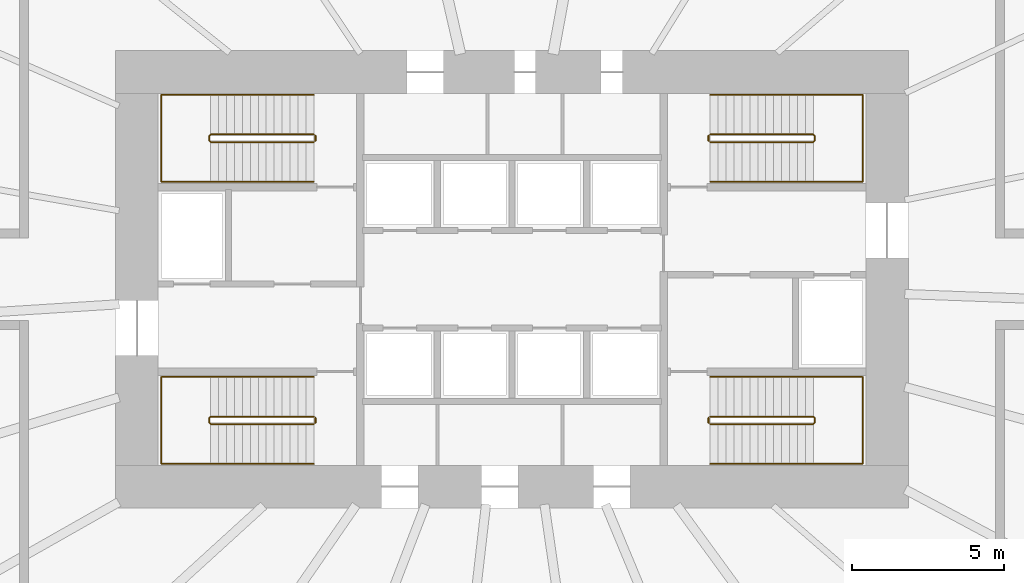
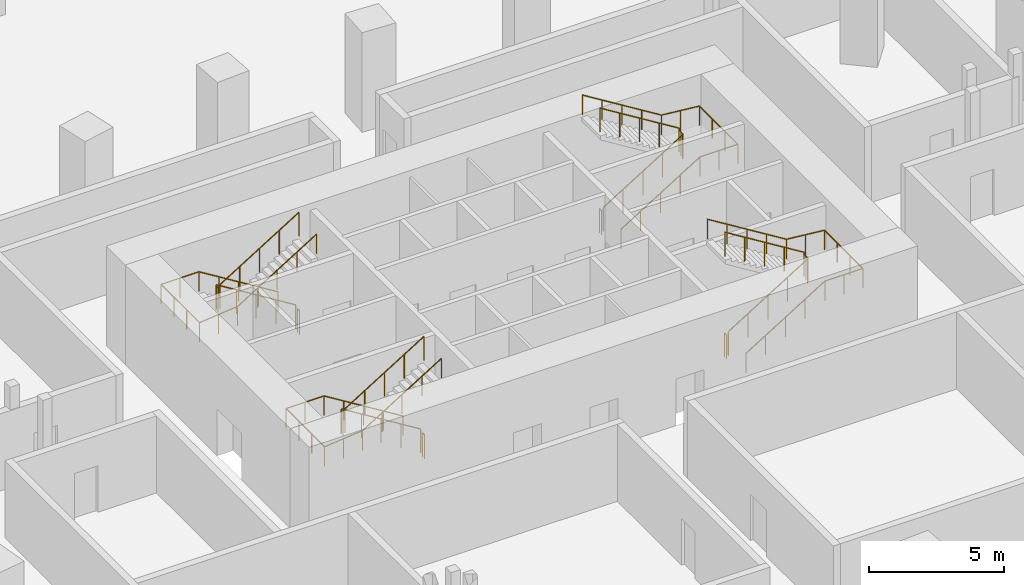
# One storey, part 8 of 9: 12 railings.
"""IFC4 building model written with IfcOpenShell, lengths in metres."""

from ifc_helpers import new_model, si_unit, direction, frame, origin, origin_2d, place, context, subcontext, project, spatial, circle, extrude, material, type_object, element, save


model = new_model("IFC4")

# Units and contexts
model_context = context("Model", 3, precision=1e-05, world=origin(), true_north=direction((0.0, 1.0)))
body_context = subcontext(model_context, "Body", "Model", "MODEL_VIEW")
ifc_project = project(units=[si_unit("LENGTHUNIT", "METRE"), si_unit("AREAUNIT", "SQUARE_METRE"), si_unit("VOLUMEUNIT", "CUBIC_METRE"), si_unit("PLANEANGLEUNIT", "RADIAN"), si_unit("MASSUNIT", "GRAM", prefix="KILO")], contexts=[model_context])

# Site, building, storey
site_placement = place(None, origin())
site = spatial("IfcSite", under=ifc_project, at=site_placement, CompositionType="ELEMENT")
building_placement = place(site_placement, origin())
building = spatial("IfcBuilding", under=site, at=building_placement, Name="Rubra Terraces Tower", CompositionType="ELEMENT")
storey_placement = place(building_placement, frame((0.0, 0.0, -10.5)))
storey = spatial("IfcBuildingStorey", under=building, at=storey_placement, Name="B2", CompositionType="ELEMENT", Elevation=-10.5)

# Railings
ifc_material = material(Name="Stainless steel", Category="steel")
railing_type_1 = type_object("IfcRailingType", Name="Core stair guard 1100", PredefinedType="GUARDRAIL", material=ifc_material)
railing_1_placement = place(storey_placement, frame((-6.5, 0.0, 0.16064453125)))
element("IfcRailing", 1, at=railing_1_placement, inside=storey, type_object=railing_type_1, Name="B2 stair S1 guard 1", PredefinedType="GUARDRAIL", context=body_context, shape_type="SweptSolid", body=[
    extrude(circle(Radius=0.02392578125, at=origin_2d()), frame((0.0, 0.0, 1.076171875), z_axis=(-0.8505975674, 0.0, 0.525817248036), x_axis=(0.0, -1.0, 0.0)), (0.0, 0.0, 1.0), 3.9736328125),
    extrude(circle(Radius=0.02392578125, at=origin_2d()), frame((-3.3798828125, 0.0, 3.16552734375), z_axis=(-0.707106781187, -0.707106781187, 0.0), x_axis=(0.707106781187, -0.707106781187, 0.0)), (0.0, 0.0, 1.0), 0.07080078125),
    extrude(circle(Radius=0.02392578125, at=origin_2d()), frame((-3.429931640625, -0.050048828125, 3.16552734375), z_axis=(0.0, -1.0, 0.0), x_axis=(1.0, 0.0, 0.0)), (0.0, 0.0, 1.0), 0.14990234375),
    extrude(circle(Radius=0.02392578125, at=origin_2d()), frame((-3.429931640625, -0.199951171875, 3.16552734375), z_axis=(0.285103605394, -0.285103605394, 0.91511303585), x_axis=(0.707106781187, 0.707106781187, 0.0)), (0.0, 0.0, 1.0), 0.175537109375),
    extrude(circle(Radius=0.02392578125, at=origin_2d()), frame((-3.3798828125, -0.25, 3.326171875), z_axis=(0.8505975674, 0.0, 0.525817248036), x_axis=(0.0, 1.0, 0.0)), (0.0, 0.0, 1.0), 3.9736328125),
    extrude(circle(Radius=0.02099609375, at=origin_2d()), origin(), (0.0, 0.0, 1.0), 1.052001953125),
    extrude(circle(Radius=0.02099609375, at=origin_2d()), frame((-0.844970703125, 0.0, 0.5224609375)), (0.0, 0.0, 1.0), 1.052001953125),
    extrude(circle(Radius=0.02099609375, at=origin_2d()), frame((-1.68994140625, 0.0, 1.044677734375)), (0.0, 0.0, 1.0), 1.052001953125),
    extrude(circle(Radius=0.02099609375, at=origin_2d()), frame((-2.534912109375, 0.0, 1.56689453125)), (0.0, 0.0, 1.0), 1.052001953125),
    extrude(circle(Radius=0.02099609375, at=origin_2d()), frame((-3.3798828125, 0.0, 2.08935546875)), (0.0, 0.0, 1.0), 1.052001953125),
    extrude(circle(Radius=0.02099609375, at=origin_2d()), frame((-3.429931640625, -0.050048828125, 2.08935546875)), (0.0, 0.0, 1.0), 1.052001953125),
    extrude(circle(Radius=0.02099609375, at=origin_2d()), frame((-3.429931640625, -0.199951171875, 2.08935546875)), (0.0, 0.0, 1.0), 1.052001953125),
    extrude(circle(Radius=0.02099609375, at=origin_2d()), frame((-3.3798828125, -0.25, 2.25)), (0.0, 0.0, 1.0), 1.052001953125),
    extrude(circle(Radius=0.02099609375, at=origin_2d()), frame((-2.534912109375, -0.25, 2.7724609375)), (0.0, 0.0, 1.0), 1.052001953125),
    extrude(circle(Radius=0.02099609375, at=origin_2d()), frame((-1.68994140625, -0.25, 3.294677734375)), (0.0, 0.0, 1.0), 1.052001953125),
    extrude(circle(Radius=0.02099609375, at=origin_2d()), frame((-0.844970703125, -0.25, 3.81689453125)), (0.0, 0.0, 1.0), 1.052001953125),
    extrude(circle(Radius=0.02099609375, at=origin_2d()), frame((0.0, -0.25, 4.33935546875)), (0.0, 0.0, 1.0), 1.052001953125),
])
railing_2_placement = place(storey_placement, frame((-6.449951171875, -0.050048828125, 0.0)))
element("IfcRailing", 2, at=railing_2_placement, inside=storey, type_object=railing_type_1, Name="B2 stair S1 guard 2", PredefinedType="GUARDRAIL", context=body_context, shape_type="SweptSolid", body=[
    extrude(circle(Radius=0.02392578125, at=origin_2d()), frame((0.0, 0.0, 1.076171875), z_axis=(0.0, -1.0, 0.0), x_axis=(1.0, 0.0, 0.0)), (0.0, 0.0, 1.0), 0.14990234375),
    extrude(circle(Radius=0.02099609375, at=origin_2d()), origin(), (0.0, 0.0, 1.0), 1.052001953125),
    extrude(circle(Radius=0.02099609375, at=origin_2d()), frame((0.0, -0.14990234375, 0.0)), (0.0, 0.0, 1.0), 1.052001953125),
])
railing_3_placement = place(storey_placement, frame((-6.5, 9.25, 0.16064453125)))
element("IfcRailing", 3, at=railing_3_placement, inside=storey, type_object=railing_type_1, Name="B2 stair S2 guard 1", PredefinedType="GUARDRAIL", context=body_context, shape_type="SweptSolid", body=[
    extrude(circle(Radius=0.02392578125, at=origin_2d()), frame((0.0, 0.0, 1.076171875), z_axis=(-0.8505975674, 0.0, 0.525817248036), x_axis=(0.0, -1.0, 0.0)), (0.0, 0.0, 1.0), 3.9736328125),
    extrude(circle(Radius=0.02392578125, at=origin_2d()), frame((-3.3798828125, 0.0, 3.16552734375), z_axis=(-0.707106781187, -0.707106781187, 0.0), x_axis=(0.707106781187, -0.707106781187, 0.0)), (0.0, 0.0, 1.0), 0.07080078125),
    extrude(circle(Radius=0.02392578125, at=origin_2d()), frame((-3.429931640625, -0.050048828125, 3.16552734375), z_axis=(0.0, -1.0, 0.0), x_axis=(1.0, 0.0, 0.0)), (0.0, 0.0, 1.0), 0.14990234375),
    extrude(circle(Radius=0.02392578125, at=origin_2d()), frame((-3.429931640625, -0.199951171875, 3.16552734375), z_axis=(0.285103605394, -0.285103605394, 0.91511303585), x_axis=(0.707106781187, 0.707106781187, 0.0)), (0.0, 0.0, 1.0), 0.175537109375),
    extrude(circle(Radius=0.02392578125, at=origin_2d()), frame((-3.3798828125, -0.25, 3.326171875), z_axis=(0.8505975674, 0.0, 0.525817248036), x_axis=(0.0, 1.0, 0.0)), (0.0, 0.0, 1.0), 3.9736328125),
    extrude(circle(Radius=0.02099609375, at=origin_2d()), origin(), (0.0, 0.0, 1.0), 1.052001953125),
    extrude(circle(Radius=0.02099609375, at=origin_2d()), frame((-0.844970703125, 0.0, 0.5224609375)), (0.0, 0.0, 1.0), 1.052001953125),
    extrude(circle(Radius=0.02099609375, at=origin_2d()), frame((-1.68994140625, 0.0, 1.044677734375)), (0.0, 0.0, 1.0), 1.052001953125),
    extrude(circle(Radius=0.02099609375, at=origin_2d()), frame((-2.534912109375, 0.0, 1.56689453125)), (0.0, 0.0, 1.0), 1.052001953125),
    extrude(circle(Radius=0.02099609375, at=origin_2d()), frame((-3.3798828125, 0.0, 2.08935546875)), (0.0, 0.0, 1.0), 1.052001953125),
    extrude(circle(Radius=0.02099609375, at=origin_2d()), frame((-3.429931640625, -0.050048828125, 2.08935546875)), (0.0, 0.0, 1.0), 1.052001953125),
    extrude(circle(Radius=0.02099609375, at=origin_2d()), frame((-3.429931640625, -0.199951171875, 2.08935546875)), (0.0, 0.0, 1.0), 1.052001953125),
    extrude(circle(Radius=0.02099609375, at=origin_2d()), frame((-3.3798828125, -0.25, 2.25)), (0.0, 0.0, 1.0), 1.052001953125),
    extrude(circle(Radius=0.02099609375, at=origin_2d()), frame((-2.534912109375, -0.25, 2.7724609375)), (0.0, 0.0, 1.0), 1.052001953125),
    extrude(circle(Radius=0.02099609375, at=origin_2d()), frame((-1.68994140625, -0.25, 3.294677734375)), (0.0, 0.0, 1.0), 1.052001953125),
    extrude(circle(Radius=0.02099609375, at=origin_2d()), frame((-0.844970703125, -0.25, 3.81689453125)), (0.0, 0.0, 1.0), 1.052001953125),
    extrude(circle(Radius=0.02099609375, at=origin_2d()), frame((0.0, -0.25, 4.33935546875)), (0.0, 0.0, 1.0), 1.052001953125),
])
railing_4_placement = place(storey_placement, frame((-6.449951171875, 9.199951171875, 0.0)))
element("IfcRailing", 4, at=railing_4_placement, inside=storey, type_object=railing_type_1, Name="B2 stair S2 guard 2", PredefinedType="GUARDRAIL", context=body_context, shape_type="SweptSolid", body=[
    extrude(circle(Radius=0.02392578125, at=origin_2d()), frame((0.0, 0.0, 1.076171875), z_axis=(0.0, -1.0, 0.0), x_axis=(1.0, 0.0, 0.0)), (0.0, 0.0, 1.0), 0.14990234375),
    extrude(circle(Radius=0.02099609375, at=origin_2d()), origin(), (0.0, 0.0, 1.0), 1.052001953125),
    extrude(circle(Radius=0.02099609375, at=origin_2d()), frame((0.0, -0.14990234375, 0.0)), (0.0, 0.0, 1.0), 1.052001953125),
])
railing_5_placement = place(storey_placement, frame((6.5, 9.0, 0.16064453125)))
element("IfcRailing", 5, at=railing_5_placement, inside=storey, type_object=railing_type_1, Name="B2 stair S3 guard 1", PredefinedType="GUARDRAIL", context=body_context, shape_type="SweptSolid", body=[
    extrude(circle(Radius=0.02392578125, at=origin_2d()), frame((0.0, 0.0, 1.076171875), z_axis=(0.8505975674, 0.0, 0.525817248036), x_axis=(0.0, 1.0, 0.0)), (0.0, 0.0, 1.0), 3.9736328125),
    extrude(circle(Radius=0.02392578125, at=origin_2d()), frame((3.3798828125, 0.0, 3.16552734375), z_axis=(0.707106781187, 0.707106781187, 0.0), x_axis=(-0.707106781187, 0.707106781187, 0.0)), (0.0, 0.0, 1.0), 0.07080078125),
    extrude(circle(Radius=0.02392578125, at=origin_2d()), frame((3.429931640625, 0.050048828125, 3.16552734375), z_axis=(0.0, 1.0, 0.0), x_axis=(-1.0, 0.0, 0.0)), (0.0, 0.0, 1.0), 0.14990234375),
    extrude(circle(Radius=0.02392578125, at=origin_2d()), frame((3.429931640625, 0.199951171875, 3.16552734375), z_axis=(-0.285103605394, 0.285103605394, 0.91511303585), x_axis=(-0.707106781187, -0.707106781187, 0.0)), (0.0, 0.0, 1.0), 0.175537109375),
    extrude(circle(Radius=0.02392578125, at=origin_2d()), frame((3.3798828125, 0.25, 3.326171875), z_axis=(-0.8505975674, 0.0, 0.525817248036), x_axis=(0.0, -1.0, 0.0)), (0.0, 0.0, 1.0), 3.9736328125),
    extrude(circle(Radius=0.02099609375, at=origin_2d()), origin(), (0.0, 0.0, 1.0), 1.052001953125),
    extrude(circle(Radius=0.02099609375, at=origin_2d()), frame((0.844970703125, 0.0, 0.5224609375)), (0.0, 0.0, 1.0), 1.052001953125),
    extrude(circle(Radius=0.02099609375, at=origin_2d()), frame((1.68994140625, 0.0, 1.044677734375)), (0.0, 0.0, 1.0), 1.052001953125),
    extrude(circle(Radius=0.02099609375, at=origin_2d()), frame((2.534912109375, 0.0, 1.56689453125)), (0.0, 0.0, 1.0), 1.052001953125),
    extrude(circle(Radius=0.02099609375, at=origin_2d()), frame((3.3798828125, 0.0, 2.08935546875)), (0.0, 0.0, 1.0), 1.052001953125),
    extrude(circle(Radius=0.02099609375, at=origin_2d()), frame((3.429931640625, 0.050048828125, 2.08935546875)), (0.0, 0.0, 1.0), 1.052001953125),
    extrude(circle(Radius=0.02099609375, at=origin_2d()), frame((3.429931640625, 0.199951171875, 2.08935546875)), (0.0, 0.0, 1.0), 1.052001953125),
    extrude(circle(Radius=0.02099609375, at=origin_2d()), frame((3.3798828125, 0.25, 2.25)), (0.0, 0.0, 1.0), 1.052001953125),
    extrude(circle(Radius=0.02099609375, at=origin_2d()), frame((2.534912109375, 0.25, 2.7724609375)), (0.0, 0.0, 1.0), 1.052001953125),
    extrude(circle(Radius=0.02099609375, at=origin_2d()), frame((1.68994140625, 0.25, 3.294677734375)), (0.0, 0.0, 1.0), 1.052001953125),
    extrude(circle(Radius=0.02099609375, at=origin_2d()), frame((0.844970703125, 0.25, 3.81689453125)), (0.0, 0.0, 1.0), 1.052001953125),
    extrude(circle(Radius=0.02099609375, at=origin_2d()), frame((0.0, 0.25, 4.33935546875)), (0.0, 0.0, 1.0), 1.052001953125),
])
railing_6_placement = place(storey_placement, frame((6.449951171875, 9.050048828125, 0.0)))
element("IfcRailing", 6, at=railing_6_placement, inside=storey, type_object=railing_type_1, Name="B2 stair S3 guard 2", PredefinedType="GUARDRAIL", context=body_context, shape_type="SweptSolid", body=[
    extrude(circle(Radius=0.02392578125, at=origin_2d()), frame((0.0, 0.0, 1.076171875), z_axis=(0.0, 1.0, 0.0), x_axis=(-1.0, 0.0, 0.0)), (0.0, 0.0, 1.0), 0.14990234375),
    extrude(circle(Radius=0.02099609375, at=origin_2d()), origin(), (0.0, 0.0, 1.0), 1.052001953125),
    extrude(circle(Radius=0.02099609375, at=origin_2d()), frame((0.0, 0.14990234375, 0.0)), (0.0, 0.0, 1.0), 1.052001953125),
])
railing_7_placement = place(storey_placement, frame((6.5, -0.25, 0.16064453125)))
element("IfcRailing", 7, at=railing_7_placement, inside=storey, type_object=railing_type_1, Name="B2 stair S4 guard 1", PredefinedType="GUARDRAIL", context=body_context, shape_type="SweptSolid", body=[
    extrude(circle(Radius=0.02392578125, at=origin_2d()), frame((0.0, 0.0, 1.076171875), z_axis=(0.8505975674, 0.0, 0.525817248036), x_axis=(0.0, 1.0, 0.0)), (0.0, 0.0, 1.0), 3.9736328125),
    extrude(circle(Radius=0.02392578125, at=origin_2d()), frame((3.3798828125, 0.0, 3.16552734375), z_axis=(0.707106781187, 0.707106781187, 0.0), x_axis=(-0.707106781187, 0.707106781187, 0.0)), (0.0, 0.0, 1.0), 0.07080078125),
    extrude(circle(Radius=0.02392578125, at=origin_2d()), frame((3.429931640625, 0.050048828125, 3.16552734375), z_axis=(0.0, 1.0, 0.0), x_axis=(-1.0, 0.0, 0.0)), (0.0, 0.0, 1.0), 0.14990234375),
    extrude(circle(Radius=0.02392578125, at=origin_2d()), frame((3.429931640625, 0.199951171875, 3.16552734375), z_axis=(-0.285103605394, 0.285103605394, 0.91511303585), x_axis=(-0.707106781187, -0.707106781187, 0.0)), (0.0, 0.0, 1.0), 0.175537109375),
    extrude(circle(Radius=0.02392578125, at=origin_2d()), frame((3.3798828125, 0.25, 3.326171875), z_axis=(-0.8505975674, 0.0, 0.525817248036), x_axis=(0.0, -1.0, 0.0)), (0.0, 0.0, 1.0), 3.9736328125),
    extrude(circle(Radius=0.02099609375, at=origin_2d()), origin(), (0.0, 0.0, 1.0), 1.052001953125),
    extrude(circle(Radius=0.02099609375, at=origin_2d()), frame((0.844970703125, 0.0, 0.5224609375)), (0.0, 0.0, 1.0), 1.052001953125),
    extrude(circle(Radius=0.02099609375, at=origin_2d()), frame((1.68994140625, 0.0, 1.044677734375)), (0.0, 0.0, 1.0), 1.052001953125),
    extrude(circle(Radius=0.02099609375, at=origin_2d()), frame((2.534912109375, 0.0, 1.56689453125)), (0.0, 0.0, 1.0), 1.052001953125),
    extrude(circle(Radius=0.02099609375, at=origin_2d()), frame((3.3798828125, 0.0, 2.08935546875)), (0.0, 0.0, 1.0), 1.052001953125),
    extrude(circle(Radius=0.02099609375, at=origin_2d()), frame((3.429931640625, 0.050048828125, 2.08935546875)), (0.0, 0.0, 1.0), 1.052001953125),
    extrude(circle(Radius=0.02099609375, at=origin_2d()), frame((3.429931640625, 0.199951171875, 2.08935546875)), (0.0, 0.0, 1.0), 1.052001953125),
    extrude(circle(Radius=0.02099609375, at=origin_2d()), frame((3.3798828125, 0.25, 2.25)), (0.0, 0.0, 1.0), 1.052001953125),
    extrude(circle(Radius=0.02099609375, at=origin_2d()), frame((2.534912109375, 0.25, 2.7724609375)), (0.0, 0.0, 1.0), 1.052001953125),
    extrude(circle(Radius=0.02099609375, at=origin_2d()), frame((1.68994140625, 0.25, 3.294677734375)), (0.0, 0.0, 1.0), 1.052001953125),
    extrude(circle(Radius=0.02099609375, at=origin_2d()), frame((0.844970703125, 0.25, 3.81689453125)), (0.0, 0.0, 1.0), 1.052001953125),
    extrude(circle(Radius=0.02099609375, at=origin_2d()), frame((0.0, 0.25, 4.33935546875)), (0.0, 0.0, 1.0), 1.052001953125),
])
railing_8_placement = place(storey_placement, frame((6.449951171875, -0.199951171875, 0.0)))
element("IfcRailing", 8, at=railing_8_placement, inside=storey, type_object=railing_type_1, Name="B2 stair S4 guard 2", PredefinedType="GUARDRAIL", context=body_context, shape_type="SweptSolid", body=[
    extrude(circle(Radius=0.02392578125, at=origin_2d()), frame((0.0, 0.0, 1.076171875), z_axis=(0.0, 1.0, 0.0), x_axis=(-1.0, 0.0, 0.0)), (0.0, 0.0, 1.0), 0.14990234375),
    extrude(circle(Radius=0.02099609375, at=origin_2d()), origin(), (0.0, 0.0, 1.0), 1.052001953125),
    extrude(circle(Radius=0.02099609375, at=origin_2d()), frame((0.0, 0.14990234375, 0.0)), (0.0, 0.0, 1.0), 1.052001953125),
])
railing_type_2 = type_object("IfcRailingType", Name="Core stair handrail 900", PredefinedType="HANDRAIL", material=ifc_material)
railing_9_placement = place(storey_placement, frame((-6.5, 1.300048828125, 0.16064453125)))
element("IfcRailing", 9, at=railing_9_placement, inside=storey, type_object=railing_type_2, Name="B2 stair S1 handrail 1", PredefinedType="HANDRAIL", context=body_context, shape_type="SweptSolid", body=[
    extrude(circle(Radius=0.02392578125, at=origin_2d()), frame((0.0, 0.0, 0.8759765625), z_axis=(-0.8505975674, 0.0, 0.525817248036), x_axis=(0.0, -1.0, 0.0)), (0.0, 0.0, 1.0), 3.9736328125),
    extrude(circle(Radius=0.02392578125, at=origin_2d()), frame((-3.3798828125, 0.0, 2.96533203125), z_axis=(-1.0, 0.0, 0.0), x_axis=(0.0, -1.0, 0.0)), (0.0, 0.0, 1.0), 1.6201171875),
    extrude(circle(Radius=0.02392578125, at=origin_2d()), frame((-5.0, 0.0, 2.96533203125), z_axis=(0.0, -1.0, 0.0), x_axis=(1.0, 0.0, 0.0)), (0.0, 0.0, 1.0), 2.85009765625),
    extrude(circle(Radius=0.02392578125, at=origin_2d()), frame((-5.0, -2.85009765625, 2.96533203125), z_axis=(0.995119987753, 0.0, 0.098672235073), x_axis=(0.0, 1.0, 0.0)), (0.0, 0.0, 1.0), 1.628173828125),
    extrude(circle(Radius=0.02392578125, at=origin_2d()), frame((-3.3798828125, -2.85009765625, 3.1259765625), z_axis=(0.8505975674, 0.0, 0.525817248036), x_axis=(0.0, 1.0, 0.0)), (0.0, 0.0, 1.0), 3.9736328125),
    extrude(circle(Radius=0.02099609375, at=origin_2d()), origin(), (0.0, 0.0, 1.0), 0.851806640625),
    extrude(circle(Radius=0.02099609375, at=origin_2d()), frame((-0.844970703125, 0.0, 0.5224609375)), (0.0, 0.0, 1.0), 0.851806640625),
    extrude(circle(Radius=0.02099609375, at=origin_2d()), frame((-1.68994140625, 0.0, 1.044677734375)), (0.0, 0.0, 1.0), 0.851806640625),
    extrude(circle(Radius=0.02099609375, at=origin_2d()), frame((-2.534912109375, 0.0, 1.56689453125)), (0.0, 0.0, 1.0), 0.851806640625),
    extrude(circle(Radius=0.02099609375, at=origin_2d()), frame((-3.3798828125, 0.0, 2.08935546875)), (0.0, 0.0, 1.0), 0.851806640625),
    extrude(circle(Radius=0.02099609375, at=origin_2d()), frame((-4.18994140625, 0.0, 2.08935546875)), (0.0, 0.0, 1.0), 0.851806640625),
    extrude(circle(Radius=0.02099609375, at=origin_2d()), frame((-5.0, 0.0, 2.08935546875)), (0.0, 0.0, 1.0), 0.851806640625),
    extrude(circle(Radius=0.02099609375, at=origin_2d()), frame((-5.0, -0.949951171875, 2.08935546875)), (0.0, 0.0, 1.0), 0.851806640625),
    extrude(circle(Radius=0.02099609375, at=origin_2d()), frame((-5.0, -1.900146484375, 2.08935546875)), (0.0, 0.0, 1.0), 0.851806640625),
    extrude(circle(Radius=0.02099609375, at=origin_2d()), frame((-5.0, -2.85009765625, 2.08935546875)), (0.0, 0.0, 1.0), 0.851806640625),
    extrude(circle(Radius=0.02099609375, at=origin_2d()), frame((-4.18994140625, -2.85009765625, 2.169677734375)), (0.0, 0.0, 1.0), 0.851806640625),
    extrude(circle(Radius=0.02099609375, at=origin_2d()), frame((-3.3798828125, -2.85009765625, 2.25)), (0.0, 0.0, 1.0), 0.851806640625),
    extrude(circle(Radius=0.02099609375, at=origin_2d()), frame((-2.534912109375, -2.85009765625, 2.7724609375)), (0.0, 0.0, 1.0), 0.851806640625),
    extrude(circle(Radius=0.02099609375, at=origin_2d()), frame((-1.68994140625, -2.85009765625, 3.294677734375)), (0.0, 0.0, 1.0), 0.851806640625),
    extrude(circle(Radius=0.02099609375, at=origin_2d()), frame((-0.844970703125, -2.85009765625, 3.81689453125)), (0.0, 0.0, 1.0), 0.851806640625),
    extrude(circle(Radius=0.02099609375, at=origin_2d()), frame((0.0, -2.85009765625, 4.33935546875)), (0.0, 0.0, 1.0), 0.851806640625),
])
railing_10_placement = place(storey_placement, frame((-6.5, 10.550048828125, 0.16064453125)))
element("IfcRailing", 10, at=railing_10_placement, inside=storey, type_object=railing_type_2, Name="B2 stair S2 handrail 1", PredefinedType="HANDRAIL", context=body_context, shape_type="SweptSolid", body=[
    extrude(circle(Radius=0.02392578125, at=origin_2d()), frame((0.0, 0.0, 0.8759765625), z_axis=(-0.8505975674, 0.0, 0.525817248036), x_axis=(0.0, -1.0, 0.0)), (0.0, 0.0, 1.0), 3.9736328125),
    extrude(circle(Radius=0.02392578125, at=origin_2d()), frame((-3.3798828125, 0.0, 2.96533203125), z_axis=(-1.0, 0.0, 0.0), x_axis=(0.0, -1.0, 0.0)), (0.0, 0.0, 1.0), 1.6201171875),
    extrude(circle(Radius=0.02392578125, at=origin_2d()), frame((-5.0, 0.0, 2.96533203125), z_axis=(0.0, -1.0, 0.0), x_axis=(1.0, 0.0, 0.0)), (0.0, 0.0, 1.0), 2.85009765625),
    extrude(circle(Radius=0.02392578125, at=origin_2d()), frame((-5.0, -2.85009765625, 2.96533203125), z_axis=(0.995119987753, 0.0, 0.098672235073), x_axis=(0.0, 1.0, 0.0)), (0.0, 0.0, 1.0), 1.628173828125),
    extrude(circle(Radius=0.02392578125, at=origin_2d()), frame((-3.3798828125, -2.85009765625, 3.1259765625), z_axis=(0.8505975674, 0.0, 0.525817248036), x_axis=(0.0, 1.0, 0.0)), (0.0, 0.0, 1.0), 3.9736328125),
    extrude(circle(Radius=0.02099609375, at=origin_2d()), origin(), (0.0, 0.0, 1.0), 0.851806640625),
    extrude(circle(Radius=0.02099609375, at=origin_2d()), frame((-0.844970703125, 0.0, 0.5224609375)), (0.0, 0.0, 1.0), 0.851806640625),
    extrude(circle(Radius=0.02099609375, at=origin_2d()), frame((-1.68994140625, 0.0, 1.044677734375)), (0.0, 0.0, 1.0), 0.851806640625),
    extrude(circle(Radius=0.02099609375, at=origin_2d()), frame((-2.534912109375, 0.0, 1.56689453125)), (0.0, 0.0, 1.0), 0.851806640625),
    extrude(circle(Radius=0.02099609375, at=origin_2d()), frame((-3.3798828125, 0.0, 2.08935546875)), (0.0, 0.0, 1.0), 0.851806640625),
    extrude(circle(Radius=0.02099609375, at=origin_2d()), frame((-4.18994140625, 0.0, 2.08935546875)), (0.0, 0.0, 1.0), 0.851806640625),
    extrude(circle(Radius=0.02099609375, at=origin_2d()), frame((-5.0, 0.0, 2.08935546875)), (0.0, 0.0, 1.0), 0.851806640625),
    extrude(circle(Radius=0.02099609375, at=origin_2d()), frame((-5.0, -0.949951171875, 2.08935546875)), (0.0, 0.0, 1.0), 0.851806640625),
    extrude(circle(Radius=0.02099609375, at=origin_2d()), frame((-5.0, -1.900146484375, 2.08935546875)), (0.0, 0.0, 1.0), 0.851806640625),
    extrude(circle(Radius=0.02099609375, at=origin_2d()), frame((-5.0, -2.85009765625, 2.08935546875)), (0.0, 0.0, 1.0), 0.851806640625),
    extrude(circle(Radius=0.02099609375, at=origin_2d()), frame((-4.18994140625, -2.85009765625, 2.169677734375)), (0.0, 0.0, 1.0), 0.851806640625),
    extrude(circle(Radius=0.02099609375, at=origin_2d()), frame((-3.3798828125, -2.85009765625, 2.25)), (0.0, 0.0, 1.0), 0.851806640625),
    extrude(circle(Radius=0.02099609375, at=origin_2d()), frame((-2.534912109375, -2.85009765625, 2.7724609375)), (0.0, 0.0, 1.0), 0.851806640625),
    extrude(circle(Radius=0.02099609375, at=origin_2d()), frame((-1.68994140625, -2.85009765625, 3.294677734375)), (0.0, 0.0, 1.0), 0.851806640625),
    extrude(circle(Radius=0.02099609375, at=origin_2d()), frame((-0.844970703125, -2.85009765625, 3.81689453125)), (0.0, 0.0, 1.0), 0.851806640625),
    extrude(circle(Radius=0.02099609375, at=origin_2d()), frame((0.0, -2.85009765625, 4.33935546875)), (0.0, 0.0, 1.0), 0.851806640625),
])
railing_11_placement = place(storey_placement, frame((6.5, 7.699951171875, 0.16064453125)))
element("IfcRailing", 11, at=railing_11_placement, inside=storey, type_object=railing_type_2, Name="B2 stair S3 handrail 1", PredefinedType="HANDRAIL", context=body_context, shape_type="SweptSolid", body=[
    extrude(circle(Radius=0.02392578125, at=origin_2d()), frame((0.0, 0.0, 0.8759765625), z_axis=(0.8505975674, 0.0, 0.525817248036), x_axis=(0.0, 1.0, 0.0)), (0.0, 0.0, 1.0), 3.9736328125),
    extrude(circle(Radius=0.02392578125, at=origin_2d()), frame((3.3798828125, 0.0, 2.96533203125), z_axis=(1.0, 0.0, 0.0), x_axis=(0.0, 1.0, 0.0)), (0.0, 0.0, 1.0), 1.6201171875),
    extrude(circle(Radius=0.02392578125, at=origin_2d()), frame((5.0, 0.0, 2.96533203125), z_axis=(0.0, 1.0, 0.0), x_axis=(-1.0, 0.0, 0.0)), (0.0, 0.0, 1.0), 2.85009765625),
    extrude(circle(Radius=0.02392578125, at=origin_2d()), frame((5.0, 2.85009765625, 2.96533203125), z_axis=(-0.995119987753, 0.0, 0.098672235073), x_axis=(0.0, -1.0, 0.0)), (0.0, 0.0, 1.0), 1.628173828125),
    extrude(circle(Radius=0.02392578125, at=origin_2d()), frame((3.3798828125, 2.85009765625, 3.1259765625), z_axis=(-0.8505975674, 0.0, 0.525817248036), x_axis=(0.0, -1.0, 0.0)), (0.0, 0.0, 1.0), 3.9736328125),
    extrude(circle(Radius=0.02099609375, at=origin_2d()), origin(), (0.0, 0.0, 1.0), 0.851806640625),
    extrude(circle(Radius=0.02099609375, at=origin_2d()), frame((0.844970703125, 0.0, 0.5224609375)), (0.0, 0.0, 1.0), 0.851806640625),
    extrude(circle(Radius=0.02099609375, at=origin_2d()), frame((1.68994140625, 0.0, 1.044677734375)), (0.0, 0.0, 1.0), 0.851806640625),
    extrude(circle(Radius=0.02099609375, at=origin_2d()), frame((2.534912109375, 0.0, 1.56689453125)), (0.0, 0.0, 1.0), 0.851806640625),
    extrude(circle(Radius=0.02099609375, at=origin_2d()), frame((3.3798828125, 0.0, 2.08935546875)), (0.0, 0.0, 1.0), 0.851806640625),
    extrude(circle(Radius=0.02099609375, at=origin_2d()), frame((4.18994140625, 0.0, 2.08935546875)), (0.0, 0.0, 1.0), 0.851806640625),
    extrude(circle(Radius=0.02099609375, at=origin_2d()), frame((5.0, 0.0, 2.08935546875)), (0.0, 0.0, 1.0), 0.851806640625),
    extrude(circle(Radius=0.02099609375, at=origin_2d()), frame((5.0, 0.949951171875, 2.08935546875)), (0.0, 0.0, 1.0), 0.851806640625),
    extrude(circle(Radius=0.02099609375, at=origin_2d()), frame((5.0, 1.900146484375, 2.08935546875)), (0.0, 0.0, 1.0), 0.851806640625),
    extrude(circle(Radius=0.02099609375, at=origin_2d()), frame((5.0, 2.85009765625, 2.08935546875)), (0.0, 0.0, 1.0), 0.851806640625),
    extrude(circle(Radius=0.02099609375, at=origin_2d()), frame((4.18994140625, 2.85009765625, 2.169677734375)), (0.0, 0.0, 1.0), 0.851806640625),
    extrude(circle(Radius=0.02099609375, at=origin_2d()), frame((3.3798828125, 2.85009765625, 2.25)), (0.0, 0.0, 1.0), 0.851806640625),
    extrude(circle(Radius=0.02099609375, at=origin_2d()), frame((2.534912109375, 2.85009765625, 2.7724609375)), (0.0, 0.0, 1.0), 0.851806640625),
    extrude(circle(Radius=0.02099609375, at=origin_2d()), frame((1.68994140625, 2.85009765625, 3.294677734375)), (0.0, 0.0, 1.0), 0.851806640625),
    extrude(circle(Radius=0.02099609375, at=origin_2d()), frame((0.844970703125, 2.85009765625, 3.81689453125)), (0.0, 0.0, 1.0), 0.851806640625),
    extrude(circle(Radius=0.02099609375, at=origin_2d()), frame((0.0, 2.85009765625, 4.33935546875)), (0.0, 0.0, 1.0), 0.851806640625),
])
railing_12_placement = place(storey_placement, frame((6.5, -1.550048828125, 0.16064453125)))
element("IfcRailing", 12, at=railing_12_placement, inside=storey, type_object=railing_type_2, Name="B2 stair S4 handrail 1", PredefinedType="HANDRAIL", context=body_context, shape_type="SweptSolid", body=[
    extrude(circle(Radius=0.02392578125, at=origin_2d()), frame((0.0, 0.0, 0.8759765625), z_axis=(0.8505975674, 0.0, 0.525817248036), x_axis=(0.0, 1.0, 0.0)), (0.0, 0.0, 1.0), 3.9736328125),
    extrude(circle(Radius=0.02392578125, at=origin_2d()), frame((3.3798828125, 0.0, 2.96533203125), z_axis=(1.0, 0.0, 0.0), x_axis=(0.0, 1.0, 0.0)), (0.0, 0.0, 1.0), 1.6201171875),
    extrude(circle(Radius=0.02392578125, at=origin_2d()), frame((5.0, 0.0, 2.96533203125), z_axis=(0.0, 1.0, 0.0), x_axis=(-1.0, 0.0, 0.0)), (0.0, 0.0, 1.0), 2.85009765625),
    extrude(circle(Radius=0.02392578125, at=origin_2d()), frame((5.0, 2.85009765625, 2.96533203125), z_axis=(-0.995119987753, 0.0, 0.098672235073), x_axis=(0.0, -1.0, 0.0)), (0.0, 0.0, 1.0), 1.628173828125),
    extrude(circle(Radius=0.02392578125, at=origin_2d()), frame((3.3798828125, 2.85009765625, 3.1259765625), z_axis=(-0.8505975674, 0.0, 0.525817248036), x_axis=(0.0, -1.0, 0.0)), (0.0, 0.0, 1.0), 3.9736328125),
    extrude(circle(Radius=0.02099609375, at=origin_2d()), origin(), (0.0, 0.0, 1.0), 0.851806640625),
    extrude(circle(Radius=0.02099609375, at=origin_2d()), frame((0.844970703125, 0.0, 0.5224609375)), (0.0, 0.0, 1.0), 0.851806640625),
    extrude(circle(Radius=0.02099609375, at=origin_2d()), frame((1.68994140625, 0.0, 1.044677734375)), (0.0, 0.0, 1.0), 0.851806640625),
    extrude(circle(Radius=0.02099609375, at=origin_2d()), frame((2.534912109375, 0.0, 1.56689453125)), (0.0, 0.0, 1.0), 0.851806640625),
    extrude(circle(Radius=0.02099609375, at=origin_2d()), frame((3.3798828125, 0.0, 2.08935546875)), (0.0, 0.0, 1.0), 0.851806640625),
    extrude(circle(Radius=0.02099609375, at=origin_2d()), frame((4.18994140625, 0.0, 2.08935546875)), (0.0, 0.0, 1.0), 0.851806640625),
    extrude(circle(Radius=0.02099609375, at=origin_2d()), frame((5.0, 0.0, 2.08935546875)), (0.0, 0.0, 1.0), 0.851806640625),
    extrude(circle(Radius=0.02099609375, at=origin_2d()), frame((5.0, 0.949951171875, 2.08935546875)), (0.0, 0.0, 1.0), 0.851806640625),
    extrude(circle(Radius=0.02099609375, at=origin_2d()), frame((5.0, 1.900146484375, 2.08935546875)), (0.0, 0.0, 1.0), 0.851806640625),
    extrude(circle(Radius=0.02099609375, at=origin_2d()), frame((5.0, 2.85009765625, 2.08935546875)), (0.0, 0.0, 1.0), 0.851806640625),
    extrude(circle(Radius=0.02099609375, at=origin_2d()), frame((4.18994140625, 2.85009765625, 2.169677734375)), (0.0, 0.0, 1.0), 0.851806640625),
    extrude(circle(Radius=0.02099609375, at=origin_2d()), frame((3.3798828125, 2.85009765625, 2.25)), (0.0, 0.0, 1.0), 0.851806640625),
    extrude(circle(Radius=0.02099609375, at=origin_2d()), frame((2.534912109375, 2.85009765625, 2.7724609375)), (0.0, 0.0, 1.0), 0.851806640625),
    extrude(circle(Radius=0.02099609375, at=origin_2d()), frame((1.68994140625, 2.85009765625, 3.294677734375)), (0.0, 0.0, 1.0), 0.851806640625),
    extrude(circle(Radius=0.02099609375, at=origin_2d()), frame((0.844970703125, 2.85009765625, 3.81689453125)), (0.0, 0.0, 1.0), 0.851806640625),
    extrude(circle(Radius=0.02099609375, at=origin_2d()), frame((0.0, 2.85009765625, 4.33935546875)), (0.0, 0.0, 1.0), 0.851806640625),
])

save(model, "model.ifc")
